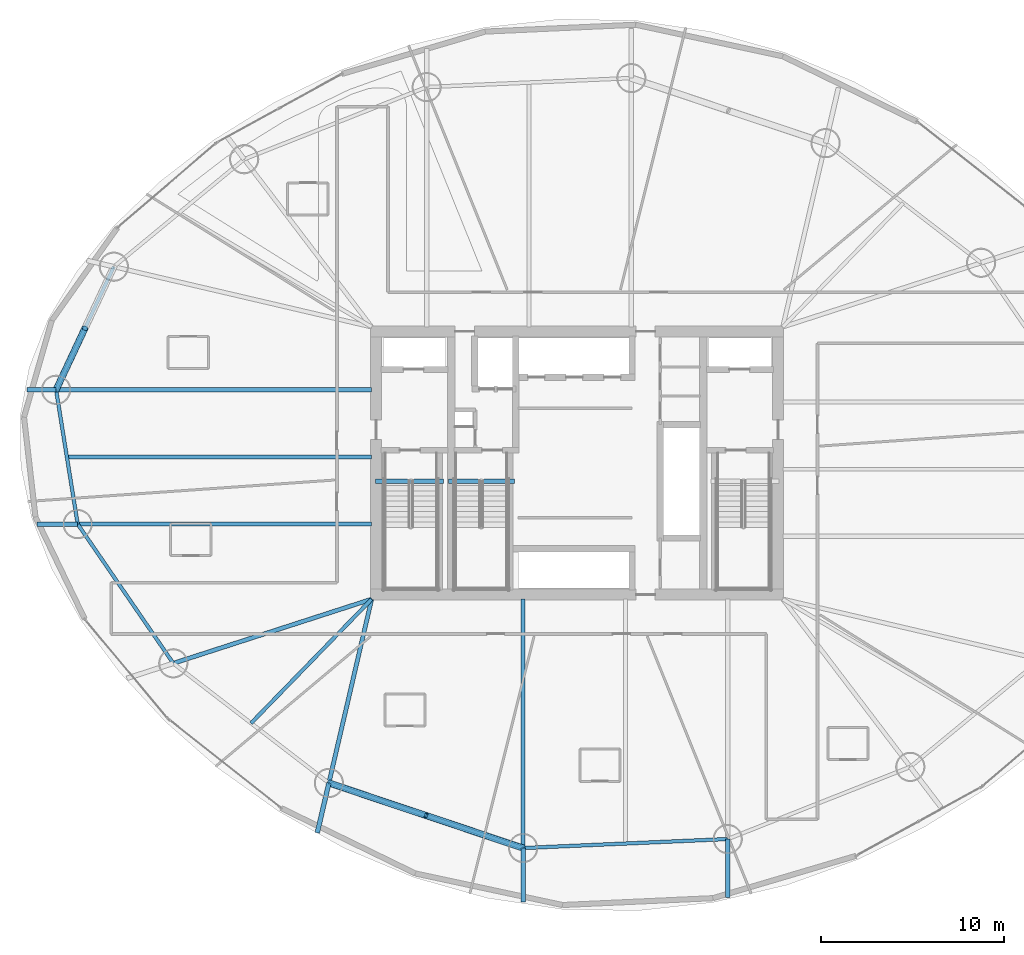
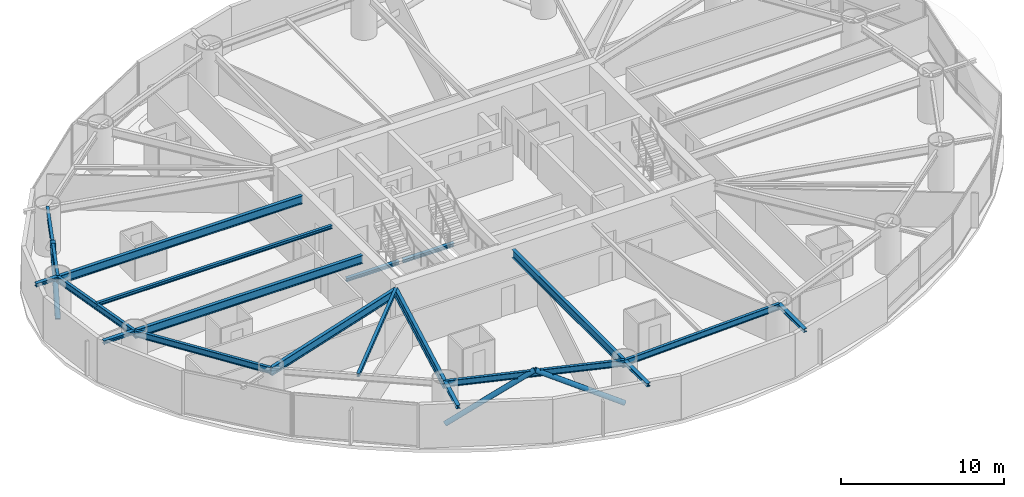
# One storey, part 3 of 25: 19 beams, 3 members.
"""IFC4 building model written with IfcOpenShell, lengths in metres."""

from ifc_helpers import new_model, si_unit, direction, frame, origin, origin_2d, place, context, subcontext, project, spatial, hollow_circle, i_section, extrude, material, material_profile, profile_set, type_object, element, save


model = new_model("IFC4")

# Units and contexts
model_context = context("Model", 3, precision=1e-05, world=origin(), true_north=direction((0.0, 1.0)))
body_context = subcontext(model_context, "Body", "Model", "MODEL_VIEW")
ifc_project = project(units=[si_unit("LENGTHUNIT", "METRE"), si_unit("AREAUNIT", "SQUARE_METRE"), si_unit("VOLUMEUNIT", "CUBIC_METRE"), si_unit("PLANEANGLEUNIT", "RADIAN"), si_unit("MASSUNIT", "GRAM", prefix="KILO")], contexts=[model_context])

# Site, building, storey
site_placement = place(None, origin())
site = spatial("IfcSite", under=ifc_project, at=site_placement, CompositionType="ELEMENT")
building_placement = place(site_placement, origin())
building = spatial("IfcBuilding", under=site, at=building_placement, Name="Bramvorn Convention Spire", CompositionType="ELEMENT")
storey_placement = place(building_placement, frame((0.0, 0.0, 55.39990234375)))
storey = spatial("IfcBuildingStorey", under=building, at=storey_placement, Name="L11", CompositionType="ELEMENT", Elevation=55.39990234375)

# Beams
ifc_material = material(Name="Steel CSA G40.21 Grade 350 (350W)", Category="steel")
ifc_material_profile_1 = material_profile(ifc_material, i_section(OverallWidth=0.201904296875, OverallDepth=0.2470703125, WebThickness=0.00732421875, FlangeThickness=0.010986328125, FilletRadius=0.011962890625, at=origin_2d()))
ifc_profile_set_1 = profile_set([ifc_material_profile_1], Name="Steel CSA G40.21 Grade 350 (350W) - W250X49")
beam_type_1 = type_object("IfcBeamType", Name="BM-W250X49", PredefinedType="JOIST", material=ifc_profile_set_1)
beam_1_placement = place(storey_placement, frame((26.75, 26.333984375, 3.126708984375), z_axis=(-1.0, 0.0, 0.0), x_axis=(0.0, -1.0, 0.0)))
element("IfcBeam", 1, at=beam_1_placement, inside=storey, type_object=beam_type_1, Name="L11 composite floor joist 09", PredefinedType="JOIST", context=body_context, shape_type="SweptSolid", body=[
    extrude(i_section(OverallWidth=0.201904296875, OverallDepth=0.2470703125, WebThickness=0.00732421875, FlangeThickness=0.010986328125, FilletRadius=0.011962890625, at=origin_2d()), origin(), (0.0, 0.0, 1.0), 16.67919921875),
])
beam_2_placement = place(storey_placement, frame((26.75, 18.550048828125, 3.126708984375), z_axis=(-0.697157225069, -0.716918268378, 0.0), x_axis=(0.716918268378, -0.697157225069, 0.0)))
element("IfcBeam", 2, at=beam_2_placement, inside=storey, type_object=beam_type_1, Name="L11 composite floor joist 11", PredefinedType="JOIST", context=body_context, shape_type="SweptSolid", body=[
    extrude(i_section(OverallWidth=0.201904296875, OverallDepth=0.2470703125, WebThickness=0.00732421875, FlangeThickness=0.010986328125, FilletRadius=0.011962890625, at=origin_2d()), origin(), (0.0, 0.0, 1.0), 9.463623046875),
])
ifc_material_profile_2 = material_profile(ifc_material, i_section(OverallWidth=0.25390625, OverallDepth=0.2529296875, WebThickness=0.008544921875, FlangeThickness=0.01416015625, FilletRadius=0.011962890625, at=origin_2d()))
ifc_profile_set_2 = profile_set([ifc_material_profile_2], Name="Steel CSA G40.21 Grade 350 (350W) - W250X73")
beam_type_2 = type_object("IfcBeamType", Name="BM-W250X73", PredefinedType="BEAM", material=ifc_profile_set_2)
beam_3_placement = place(storey_placement, frame((9.480224609375, 30.00830078125, 3.12353515625), z_axis=(-1.0, 0.0, 0.0), x_axis=(0.0, -1.0, 0.0)))
element("IfcBeam", 3, at=beam_3_placement, inside=storey, type_object=beam_type_2, Name="L11 slab-edge cantilever tip beam MC09", PredefinedType="BEAM", context=body_context, shape_type="SweptSolid", body=[
    extrude(i_section(OverallWidth=0.25390625, OverallDepth=0.2529296875, WebThickness=0.008544921875, FlangeThickness=0.01416015625, FilletRadius=0.011962890625, at=origin_2d()), origin(), (0.0, 0.0, 1.0), 1.58056640625),
])
beam_4_placement = place(storey_placement, frame((10.661376953125, 22.659912109375, 3.12353515625), z_axis=(-1.0, 0.0, 0.0), x_axis=(0.0, -1.0, 0.0)))
element("IfcBeam", 4, at=beam_4_placement, inside=storey, type_object=beam_type_2, Name="L11 slab-edge cantilever tip beam MC10", PredefinedType="BEAM", context=body_context, shape_type="SweptSolid", body=[
    extrude(i_section(OverallWidth=0.25390625, OverallDepth=0.2529296875, WebThickness=0.008544921875, FlangeThickness=0.01416015625, FilletRadius=0.011962890625, at=origin_2d()), origin(), (0.0, 0.0, 1.0), 2.227783203125),
])
beam_5_placement = place(storey_placement, frame((24.40966796875, 8.490966796875, 3.12353515625), z_axis=(-0.2266039035, -0.973986997305, 0.0), x_axis=(0.973986997305, -0.2266039035, 0.0)))
element("IfcBeam", 5, at=beam_5_placement, inside=storey, type_object=beam_type_2, Name="L11 slab-edge cantilever tip beam MC12", PredefinedType="BEAM", context=body_context, shape_type="SweptSolid", body=[
    extrude(i_section(OverallWidth=0.25390625, OverallDepth=0.2529296875, WebThickness=0.008544921875, FlangeThickness=0.01416015625, FilletRadius=0.011962890625, at=origin_2d()), origin(), (0.0, 0.0, 1.0), 2.800048828125),
])
beam_6_placement = place(storey_placement, frame((35.0390625, 4.93115234375, 3.12353515625), z_axis=(0.0, -1.0, 0.0), x_axis=(1.0, 0.0, 0.0)))
element("IfcBeam", 6, at=beam_6_placement, inside=storey, type_object=beam_type_2, Name="L11 slab-edge cantilever tip beam MC13", PredefinedType="BEAM", context=body_context, shape_type="SweptSolid", body=[
    extrude(i_section(OverallWidth=0.25390625, OverallDepth=0.2529296875, WebThickness=0.008544921875, FlangeThickness=0.01416015625, FilletRadius=0.011962890625, at=origin_2d()), origin(), (0.0, 0.0, 1.0), 2.961669921875),
])
beam_7_placement = place(storey_placement, frame((46.23779296875, 5.42333984375, 3.12353515625), z_axis=(0.0, -1.0, 0.0), x_axis=(1.0, 0.0, 0.0)))
element("IfcBeam", 7, at=beam_7_placement, inside=storey, type_object=beam_type_2, Name="L11 slab-edge cantilever tip beam MC14", PredefinedType="BEAM", context=body_context, shape_type="SweptSolid", body=[
    extrude(i_section(OverallWidth=0.25390625, OverallDepth=0.2529296875, WebThickness=0.008544921875, FlangeThickness=0.01416015625, FilletRadius=0.011962890625, at=origin_2d()), origin(), (0.0, 0.0, 1.0), 3.199951171875),
])
beam_8_placement = place(storey_placement, frame((26.949951171875, 25.010009765625, -0.12646484375), z_axis=(1.0, 0.0, 0.0), x_axis=(0.0, 1.0, 0.0)))
element("IfcBeam", 8, at=beam_8_placement, inside=storey, type_object=beam_type_2, Name="L11 ST1 stair arrival header beam", PredefinedType="BEAM", context=body_context, shape_type="SweptSolid", body=[
    extrude(i_section(OverallWidth=0.25390625, OverallDepth=0.2529296875, WebThickness=0.008544921875, FlangeThickness=0.01416015625, FilletRadius=0.011962890625, at=origin_2d()), origin(), (0.0, 0.0, 1.0), 3.739990234375),
])
beam_9_placement = place(storey_placement, frame((30.949951171875, 25.010009765625, -0.12646484375), z_axis=(1.0, 0.0, 0.0), x_axis=(0.0, 1.0, 0.0)))
element("IfcBeam", 9, at=beam_9_placement, inside=storey, type_object=beam_type_2, Name="L11 ST3 stair arrival header beam", PredefinedType="BEAM", context=body_context, shape_type="SweptSolid", body=[
    extrude(i_section(OverallWidth=0.25390625, OverallDepth=0.2529296875, WebThickness=0.008544921875, FlangeThickness=0.01416015625, FilletRadius=0.011962890625, at=origin_2d()), origin(), (0.0, 0.0, 1.0), 3.610107421875),
])
ifc_material_profile_3 = material_profile(ifc_material, i_section(OverallWidth=0.194091796875, OverallDepth=0.468994140625, WebThickness=0.0126953125, FlangeThickness=0.0205078125, FilletRadius=0.01806640625, at=origin_2d()))
ifc_profile_set_3 = profile_set([ifc_material_profile_3], Name="Steel CSA G40.21 Grade 350 (350W) - W460X106")
beam_type_3 = type_object("IfcBeamType", Name="BM-W460X106", PredefinedType="SPANDREL", material=ifc_profile_set_3)
for number, where, z_axis, x_axis, name in (
    (10, (12.64111328125, 36.746337890625, 3.015625), (-0.424701955478, -0.9053332254, 0.0), (0.9053332254, -0.424701955478, 0.0), "L11 mega-column ring beam 08"),
    (11, (9.480224609375, 30.00830078125, 3.015625), (0.158699222824, -0.987326975563, 0.0), (0.987326975563, 0.158699222824, 0.0), "L11 mega-column ring beam 09"),
):
    element("IfcBeam", number, at=place(storey_placement, frame(where, z_axis=z_axis, x_axis=x_axis)), inside=storey, type_object=beam_type_3, Name=name, PredefinedType="SPANDREL", context=body_context, shape_type="SweptSolid", body=[
        extrude(i_section(OverallWidth=0.194091796875, OverallDepth=0.468994140625, WebThickness=0.0126953125, FlangeThickness=0.0205078125, FilletRadius=0.01806640625, at=origin_2d()), origin(), (0.0, 0.0, 1.0), 7.442626953125),
    ])
beam_10_placement = place(storey_placement, frame((10.661376953125, 22.659912109375, 3.015625), z_axis=(0.566129730789, -0.824316157743, 0.0), x_axis=(0.824316157743, 0.566129730789, 0.0)))
element("IfcBeam", 12, at=beam_10_placement, inside=storey, type_object=beam_type_3, Name="L11 mega-column ring beam 10", PredefinedType="SPANDREL", context=body_context, shape_type="SweptSolid", body=[
    extrude(i_section(OverallWidth=0.194091796875, OverallDepth=0.468994140625, WebThickness=0.0126953125, FlangeThickness=0.0205078125, FilletRadius=0.01806640625, at=origin_2d()), origin(), (0.0, 0.0, 1.0), 9.244140625),
])
beam_11_placement = place(storey_placement, frame((24.40966796875, 8.490966796875, 3.015625), z_axis=(0.948235872727, -0.317566890078, 0.0), x_axis=(0.317566890078, 0.948235872727, 0.0)))
element("IfcBeam", 13, at=beam_11_placement, inside=storey, type_object=beam_type_3, Name="L11 mega-column ring beam 12", PredefinedType="SPANDREL", context=body_context, shape_type="SweptSolid", body=[
    extrude(i_section(OverallWidth=0.194091796875, OverallDepth=0.468994140625, WebThickness=0.0126953125, FlangeThickness=0.0205078125, FilletRadius=0.01806640625, at=origin_2d()), origin(), (0.0, 0.0, 1.0), 11.209716796875),
])
beam_12_placement = place(storey_placement, frame((35.0390625, 4.93115234375, 3.015625), z_axis=(0.999035582762, 0.043907907889, 0.0), x_axis=(-0.043907907889, 0.999035582762, 0.0)))
element("IfcBeam", 14, at=beam_12_placement, inside=storey, type_object=beam_type_3, Name="L11 mega-column ring beam 13", PredefinedType="SPANDREL", context=body_context, shape_type="SweptSolid", body=[
    extrude(i_section(OverallWidth=0.194091796875, OverallDepth=0.468994140625, WebThickness=0.0126953125, FlangeThickness=0.0205078125, FilletRadius=0.01806640625, at=origin_2d()), origin(), (0.0, 0.0, 1.0), 11.20947265625),
])
ifc_material_profile_4 = material_profile(ifc_material, i_section(OverallWidth=0.22998046875, OverallDepth=0.616943359375, WebThickness=0.01318359375, FlangeThickness=0.022216796875, FilletRadius=0.02001953125, at=origin_2d()))
ifc_profile_set_4 = profile_set([ifc_material_profile_4], Name="Steel CSA G40.21 Grade 350 (350W) - W610X140")
beam_type_4 = type_object("IfcBeamType", Name="BM-W610X140", PredefinedType="BEAM", material=ifc_profile_set_4)
beam_13_placement = place(storey_placement, frame((26.75, 30.00830078125, 2.941650390625), z_axis=(-1.0, 0.0, 0.0), x_axis=(0.0, -1.0, 0.0)))
element("IfcBeam", 15, at=beam_13_placement, inside=storey, type_object=beam_type_4, Name="L11 radial floor girder MC09", PredefinedType="BEAM", context=body_context, shape_type="SweptSolid", body=[
    extrude(i_section(OverallWidth=0.22998046875, OverallDepth=0.616943359375, WebThickness=0.01318359375, FlangeThickness=0.022216796875, FilletRadius=0.02001953125, at=origin_2d()), origin(), (0.0, 0.0, 1.0), 17.269775390625),
])
beam_14_placement = place(storey_placement, frame((26.75, 22.659912109375, 2.941650390625), z_axis=(-1.0, 0.0, 0.0), x_axis=(0.0, -1.0, 0.0)))
element("IfcBeam", 16, at=beam_14_placement, inside=storey, type_object=beam_type_4, Name="L11 radial floor girder MC10", PredefinedType="BEAM", context=body_context, shape_type="SweptSolid", body=[
    extrude(i_section(OverallWidth=0.22998046875, OverallDepth=0.616943359375, WebThickness=0.01318359375, FlangeThickness=0.022216796875, FilletRadius=0.02001953125, at=origin_2d()), origin(), (0.0, 0.0, 1.0), 16.088623046875),
])
beam_15_placement = place(storey_placement, frame((26.75, 18.550048828125, 2.941650390625), z_axis=(-0.951488933275, -0.307682969719, 0.0), x_axis=(0.307682969719, -0.951488933275, 0.0)))
element("IfcBeam", 17, at=beam_15_placement, inside=storey, type_object=beam_type_4, Name="L11 radial floor girder MC11", PredefinedType="BEAM", context=body_context, shape_type="SweptSolid", body=[
    extrude(i_section(OverallWidth=0.22998046875, OverallDepth=0.616943359375, WebThickness=0.01318359375, FlangeThickness=0.022216796875, FilletRadius=0.02001953125, at=origin_2d()), origin(), (0.0, 0.0, 1.0), 11.40869140625),
])
beam_16_placement = place(storey_placement, frame((26.75, 18.550048828125, 2.941650390625), z_axis=(-0.226606328522, -0.973986433106, 0.0), x_axis=(0.973986433106, -0.226606328522, 0.0)))
element("IfcBeam", 18, at=beam_16_placement, inside=storey, type_object=beam_type_4, Name="L11 radial floor girder MC12", PredefinedType="BEAM", context=body_context, shape_type="SweptSolid", body=[
    extrude(i_section(OverallWidth=0.22998046875, OverallDepth=0.616943359375, WebThickness=0.01318359375, FlangeThickness=0.022216796875, FilletRadius=0.02001953125, at=origin_2d()), origin(), (0.0, 0.0, 1.0), 10.32763671875),
])
beam_17_placement = place(storey_placement, frame((35.0390625, 18.550048828125, 2.941650390625), z_axis=(0.0, -1.0, 0.0), x_axis=(1.0, 0.0, 0.0)))
element("IfcBeam", 19, at=beam_17_placement, inside=storey, type_object=beam_type_4, Name="L11 radial floor girder MC13", PredefinedType="BEAM", context=body_context, shape_type="SweptSolid", body=[
    extrude(i_section(OverallWidth=0.22998046875, OverallDepth=0.616943359375, WebThickness=0.01318359375, FlangeThickness=0.022216796875, FilletRadius=0.02001953125, at=origin_2d()), origin(), (0.0, 0.0, 1.0), 13.618896484375),
])

# Members
ifc_material_profile_5 = material_profile(ifc_material, hollow_circle(Radius=0.177734375, WallThickness=0.015869140625, at=origin_2d()))
ifc_profile_set_5 = profile_set([ifc_material_profile_5], Name="Steel CSA G40.21 Grade 350 (350W) - CHS356X16")
member_type = type_object("IfcMemberType", Name="MBR-CHS356X16", PredefinedType="BRACE", material=ifc_profile_set_5)
member_placement = place(storey_placement, frame((9.480224609375, 30.00830078125, 0.0), z_axis=(0.319909760159, 0.681871297566, 0.657806414465), x_axis=(-0.905314694797, 0.424741454752, 0.0)))
element("IfcMember", 20, at=member_placement, inside=storey, type_object=member_type, Name="L11 perimeter Gothic lancet brace 8B", PredefinedType="BRACE", context=body_context, shape_type="SweptSolid", body=[
    extrude(hollow_circle(Radius=0.177734375, WallThickness=0.015869140625, at=origin_2d()), origin(), (0.0, 0.0, 1.0), 4.940673828125),
])
for number, where, z_axis, x_axis, name in (
    (21, (24.40966796875, 8.490966796875, 0.0), (0.820300118259, -0.274739683138, 0.501623187756), (0.31758647294, 0.948229314146, 0.0), "L11 perimeter Gothic lancet brace 12A"),
    (22, (35.0390625, 4.93115234375, 0.0), (-0.820308610169, 0.274704844877, 0.501628380659), (-0.31754730681, -0.948242430994, 0.0), "L11 perimeter Gothic lancet brace 12B"),
):
    element("IfcMember", number, at=place(storey_placement, frame(where, z_axis=z_axis, x_axis=x_axis)), inside=storey, type_object=member_type, Name=name, PredefinedType="BRACE", context=body_context, shape_type="SweptSolid", body=[
        extrude(hollow_circle(Radius=0.177734375, WallThickness=0.015869140625, at=origin_2d()), origin(), (0.0, 0.0, 1.0), 6.47900390625),
    ])

save(model, "model.ifc")
